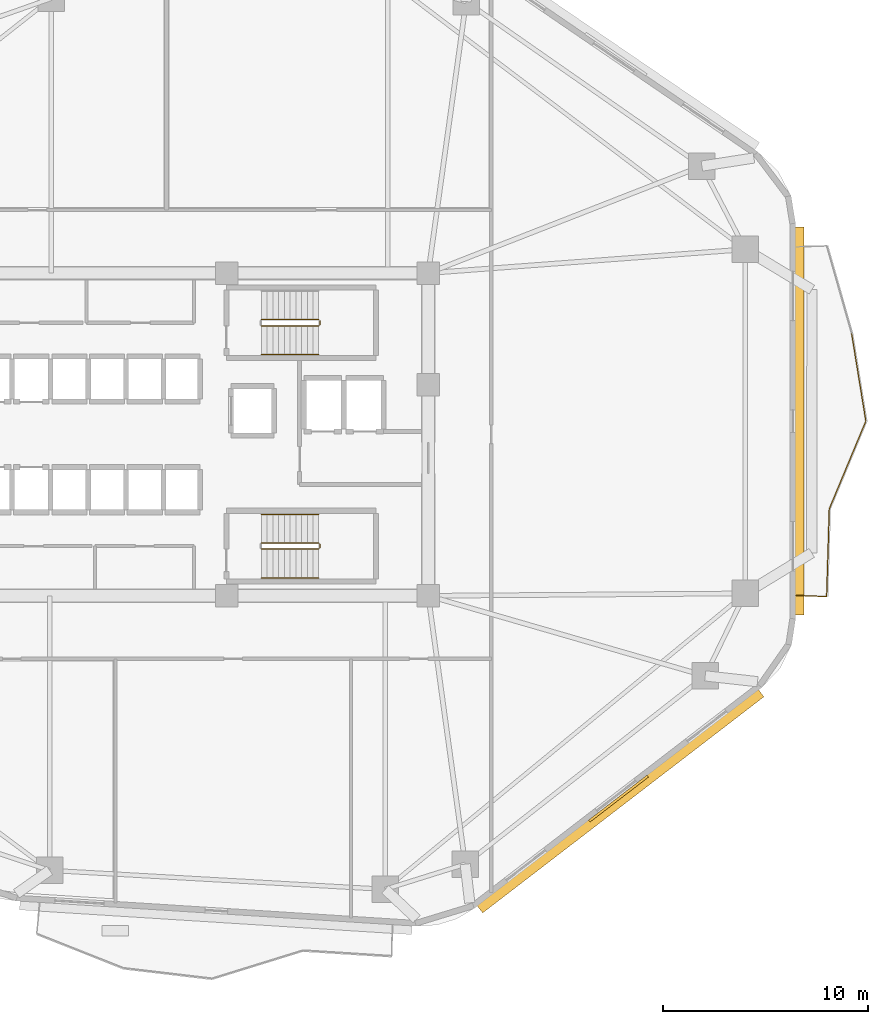
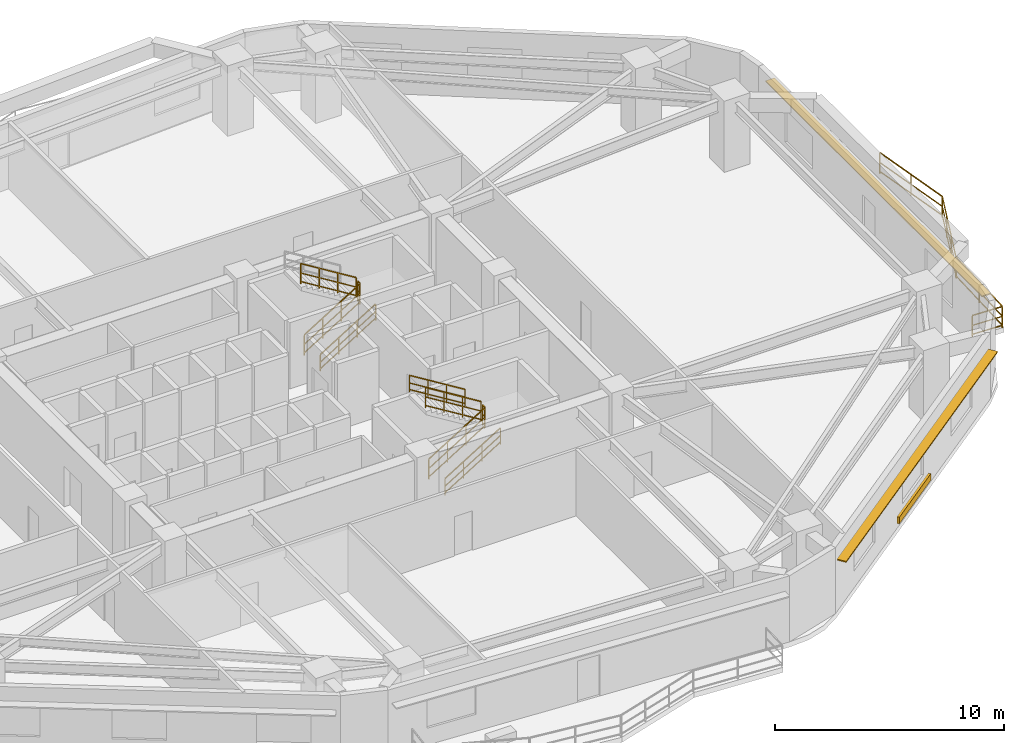
# One storey, part 7 of 8: 13 railings, 3 shading devices.
"""IFC4 building model written with IfcOpenShell, lengths in metres."""

from ifc_helpers import new_model, si_unit, direction, frame, origin, origin_2d, place, context, subcontext, project, spatial, rectangle, extrude, material, layer, layer_set, type_object, element, save


model = new_model("IFC4")

# Units and contexts
model_context = context("Model", 3, precision=1e-05, world=origin(), true_north=direction((0.0, 1.0)))
body_context = subcontext(model_context, "Body", "Model", "MODEL_VIEW")
ifc_project = project(units=[si_unit("LENGTHUNIT", "METRE"), si_unit("AREAUNIT", "SQUARE_METRE"), si_unit("VOLUMEUNIT", "CUBIC_METRE"), si_unit("PLANEANGLEUNIT", "RADIAN"), si_unit("MASSUNIT", "GRAM", prefix="KILO")], contexts=[model_context])

# Site, building, storey
site_placement = place(None, origin())
site = spatial("IfcSite", under=ifc_project, at=site_placement, CompositionType="ELEMENT")
building_placement = place(site_placement, origin())
building = spatial("IfcBuilding", under=site, at=building_placement, Name="Zulverin Broadcast Headquarters", CompositionType="ELEMENT")
storey_placement = place(building_placement, frame((0.0, 0.0, 44.0)))
storey = spatial("IfcBuildingStorey", under=building, at=storey_placement, Name="L10", CompositionType="ELEMENT", Elevation=44.0)

# Railings
ifc_material_1 = material(Name="Brushed stainless steel & laminated glass balustrade", Category="steel")
railing_type_1 = type_object("IfcRailingType", Name="RL-GUARD-1150", PredefinedType="GUARDRAIL", material=ifc_material_1)
railing_1_placement = place(storey_placement, frame((66.239990234375, 17.343505859375, 0.0)))
element("IfcRailing", 1, at=railing_1_placement, inside=storey, type_object=railing_type_1, Name="L10 Vertical-Forest Balcony Guardrail BAL_E Segment 01", PredefinedType="GUARDRAIL", context=body_context, shape_type="SweptSolid", body=[
    extrude(rectangle(XDim=0.048095703125, YDim=0.048095703125, at=origin_2d()), frame((0.0, 0.0, 1.1259765625), z_axis=(0.999174410196, -0.040626321628, 0.0), x_axis=(0.040626321628, 0.999174410196, 0.0)), (0.0, 0.0, 1.0), 1.46630859375),
    extrude(rectangle(XDim=0.0419921875, YDim=0.0419921875, at=origin_2d()), frame((0.0, 0.0, 0.597900390625), z_axis=(0.999174410196, -0.040626321628, 0.0), x_axis=(0.040626321628, 0.999174410196, 0.0)), (0.0, 0.0, 1.0), 1.46630859375),
    extrude(rectangle(XDim=0.0419921875, YDim=0.0419921875, at=origin_2d()), frame((0.0, 0.0, 0.1201171875), z_axis=(0.999174410196, -0.040626321628, 0.0), x_axis=(0.040626321628, 0.999174410196, 0.0)), (0.0, 0.0, 1.0), 1.46630859375),
    extrude(rectangle(XDim=0.0419921875, YDim=0.0419921875, at=origin_2d()), origin(), (0.0, 0.0, 1.0), 1.101806640625),
    extrude(rectangle(XDim=0.0419921875, YDim=0.0419921875, at=origin_2d()), frame((1.465087890625, -0.0595703125, 0.0)), (0.0, 0.0, 1.0), 1.101806640625),
])
railing_2_placement = place(storey_placement, frame((67.720458984375, 17.29833984375, 0.0)))
element("IfcRailing", 2, at=railing_2_placement, inside=storey, type_object=railing_type_1, Name="L10 Vertical-Forest Balcony Guardrail BAL_E Segment 02", PredefinedType="GUARDRAIL", context=body_context, shape_type="SweptSolid", body=[
    extrude(rectangle(XDim=0.048095703125, YDim=0.048095703125, at=origin_2d()), frame((0.0, 0.0, 1.1259765625), z_axis=(0.030066767835, 0.999547892535, 0.0), x_axis=(-0.999547892535, 0.030066767835, 0.0)), (0.0, 0.0, 1.0), 4.2548828125),
    extrude(rectangle(XDim=0.0419921875, YDim=0.0419921875, at=origin_2d()), frame((0.0, 0.0, 0.597900390625), z_axis=(0.030066767835, 0.999547892535, 0.0), x_axis=(-0.999547892535, 0.030066767835, 0.0)), (0.0, 0.0, 1.0), 4.2548828125),
    extrude(rectangle(XDim=0.0419921875, YDim=0.0419921875, at=origin_2d()), frame((0.0, 0.0, 0.1201171875), z_axis=(0.030066767835, 0.999547892535, 0.0), x_axis=(-0.999547892535, 0.030066767835, 0.0)), (0.0, 0.0, 1.0), 4.2548828125),
    extrude(rectangle(XDim=0.0419921875, YDim=0.0419921875, at=origin_2d()), origin(), (0.0, 0.0, 1.0), 1.101806640625),
    extrude(rectangle(XDim=0.0419921875, YDim=0.0419921875, at=origin_2d()), frame((0.06396484375, 2.12646484375, 0.0)), (0.0, 0.0, 1.0), 1.101806640625),
    extrude(rectangle(XDim=0.0419921875, YDim=0.0419921875, at=origin_2d()), frame((0.1279296875, 4.2529296875, 0.0)), (0.0, 0.0, 1.0), 1.101806640625),
])
railing_3_placement = place(storey_placement, frame((67.854736328125, 21.580078125, 0.0)))
element("IfcRailing", 3, at=railing_3_placement, inside=storey, type_object=railing_type_1, Name="L10 Vertical-Forest Balcony Guardrail BAL_E Segment 03", PredefinedType="GUARDRAIL", context=body_context, shape_type="SweptSolid", body=[
    extrude(rectangle(XDim=0.048095703125, YDim=0.048095703125, at=origin_2d()), frame((0.0, 0.0, 1.1259765625), z_axis=(0.384837228124, 0.922984456993, 0.0), x_axis=(-0.922984456993, 0.384837228124, 0.0)), (0.0, 0.0, 1.0), 4.610107421875),
    extrude(rectangle(XDim=0.0419921875, YDim=0.0419921875, at=origin_2d()), frame((0.0, 0.0, 0.597900390625), z_axis=(0.384837228124, 0.922984456993, 0.0), x_axis=(-0.922984456993, 0.384837228124, 0.0)), (0.0, 0.0, 1.0), 4.610107421875),
    extrude(rectangle(XDim=0.0419921875, YDim=0.0419921875, at=origin_2d()), frame((0.0, 0.0, 0.1201171875), z_axis=(0.384837228124, 0.922984456993, 0.0), x_axis=(-0.922984456993, 0.384837228124, 0.0)), (0.0, 0.0, 1.0), 4.610107421875),
    extrude(rectangle(XDim=0.0419921875, YDim=0.0419921875, at=origin_2d()), origin(), (0.0, 0.0, 1.0), 1.101806640625),
    extrude(rectangle(XDim=0.0419921875, YDim=0.0419921875, at=origin_2d()), frame((0.59130859375, 1.41845703125, 0.0)), (0.0, 0.0, 1.0), 1.101806640625),
    extrude(rectangle(XDim=0.0419921875, YDim=0.0419921875, at=origin_2d()), frame((1.182861328125, 2.836669921875, 0.0)), (0.0, 0.0, 1.0), 1.101806640625),
    extrude(rectangle(XDim=0.0419921875, YDim=0.0419921875, at=origin_2d()), frame((1.774169921875, 4.255126953125, 0.0)), (0.0, 0.0, 1.0), 1.101806640625),
])
railing_4_placement = place(storey_placement, frame((69.632080078125, 25.86376953125, 0.0)))
element("IfcRailing", 4, at=railing_4_placement, inside=storey, type_object=railing_type_1, Name="L10 Vertical-Forest Balcony Guardrail BAL_E Segment 04", PredefinedType="GUARDRAIL", context=body_context, shape_type="SweptSolid", body=[
    extrude(rectangle(XDim=0.048095703125, YDim=0.048095703125, at=origin_2d()), frame((0.0, 0.0, 1.1259765625), z_axis=(-0.160345697717, 0.987060918699, 0.0), x_axis=(-0.987060918699, -0.160345697717, 0.0)), (0.0, 0.0, 1.0), 4.308837890625),
    extrude(rectangle(XDim=0.0419921875, YDim=0.0419921875, at=origin_2d()), frame((0.0, 0.0, 0.597900390625), z_axis=(-0.160345697717, 0.987060918699, 0.0), x_axis=(-0.987060918699, -0.160345697717, 0.0)), (0.0, 0.0, 1.0), 4.308837890625),
    extrude(rectangle(XDim=0.0419921875, YDim=0.0419921875, at=origin_2d()), frame((0.0, 0.0, 0.1201171875), z_axis=(-0.160345697717, 0.987060918699, 0.0), x_axis=(-0.987060918699, -0.160345697717, 0.0)), (0.0, 0.0, 1.0), 4.308837890625),
    extrude(rectangle(XDim=0.0419921875, YDim=0.0419921875, at=origin_2d()), origin(), (0.0, 0.0, 1.0), 1.101806640625),
    extrude(rectangle(XDim=0.0419921875, YDim=0.0419921875, at=origin_2d()), frame((-0.345458984375, 2.12646484375, 0.0)), (0.0, 0.0, 1.0), 1.101806640625),
    extrude(rectangle(XDim=0.0419921875, YDim=0.0419921875, at=origin_2d()), frame((-0.69091796875, 4.253173828125, 0.0)), (0.0, 0.0, 1.0), 1.101806640625),
])
ifc_material_2 = material(Name="Painted galvanized steel tubular guardrail S355JR", Category="steel")
railing_type_2 = type_object("IfcRailingType", Name="RL-ST-GUARD", PredefinedType="GUARDRAIL", material=ifc_material_2)
railing_5_placement = place(storey_placement, frame((40.1298828125, 30.5, 0.172607421875)))
element("IfcRailing", 5, at=railing_5_placement, inside=storey, type_object=railing_type_2, Name="L10 ST-1 stair guard 1", PredefinedType="GUARDRAIL", context=body_context, shape_type="SweptSolid", body=[
    extrude(rectangle(XDim=0.048095703125, YDim=0.048095703125, at=origin_2d()), frame((0.0, 0.0, 1.076171875), z_axis=(0.851089632645, 0.0, 0.525020415988), x_axis=(0.0, 1.0, 0.0)), (0.0, 0.0, 1.0), 3.2900390625),
    extrude(rectangle(XDim=0.0419921875, YDim=0.0419921875, at=origin_2d()), frame((0.0, 0.0, 0.572021484375), z_axis=(0.851089632645, 0.0, 0.525020415988), x_axis=(0.0, 1.0, 0.0)), (0.0, 0.0, 1.0), 3.2900390625),
    extrude(rectangle(XDim=0.0419921875, YDim=0.0419921875, at=origin_2d()), frame((0.0, 0.0, 0.1201171875), z_axis=(0.851089632645, 0.0, 0.525020415988), x_axis=(0.0, 1.0, 0.0)), (0.0, 0.0, 1.0), 3.2900390625),
    extrude(rectangle(XDim=0.0419921875, YDim=0.0419921875, at=origin_2d()), origin(), (0.0, 0.0, 1.0), 1.052001953125),
    extrude(rectangle(XDim=0.0419921875, YDim=0.0419921875, at=origin_2d()), frame((0.933349609375, 0.0, 0.57568359375)), (0.0, 0.0, 1.0), 1.052001953125),
    extrude(rectangle(XDim=0.0419921875, YDim=0.0419921875, at=origin_2d()), frame((1.86669921875, 0.0, 1.151611328125)), (0.0, 0.0, 1.0), 1.052001953125),
    extrude(rectangle(XDim=0.0419921875, YDim=0.0419921875, at=origin_2d()), frame((2.800048828125, 0.0, 1.727294921875)), (0.0, 0.0, 1.0), 1.052001953125),
])
railing_6_placement = place(storey_placement, frame((42.97998046875, 30.550048828125, 1.89990234375)))
element("IfcRailing", 6, at=railing_6_placement, inside=storey, type_object=railing_type_2, Name="L10 ST-1 stair guard 2", PredefinedType="GUARDRAIL", context=body_context, shape_type="SweptSolid", body=[
    extrude(rectangle(XDim=0.048095703125, YDim=0.048095703125, at=origin_2d()), frame((0.0, 0.0, 1.076171875), z_axis=(0.0, 1.0, 0.0), x_axis=(-1.0, 0.0, 0.0)), (0.0, 0.0, 1.0), 0.199951171875),
    extrude(rectangle(XDim=0.0419921875, YDim=0.0419921875, at=origin_2d()), frame((0.0, 0.0, 0.572021484375), z_axis=(0.0, 1.0, 0.0), x_axis=(-1.0, 0.0, 0.0)), (0.0, 0.0, 1.0), 0.199951171875),
    extrude(rectangle(XDim=0.0419921875, YDim=0.0419921875, at=origin_2d()), frame((0.0, 0.0, 0.1201171875), z_axis=(0.0, 1.0, 0.0), x_axis=(-1.0, 0.0, 0.0)), (0.0, 0.0, 1.0), 0.199951171875),
    extrude(rectangle(XDim=0.0419921875, YDim=0.0419921875, at=origin_2d()), origin(), (0.0, 0.0, 1.0), 1.052001953125),
    extrude(rectangle(XDim=0.0419921875, YDim=0.0419921875, at=origin_2d()), frame((0.0, 0.199951171875, 0.0)), (0.0, 0.0, 1.0), 1.052001953125),
])
railing_7_placement = place(storey_placement, frame((42.929931640625, 30.800048828125, 2.07275390625)))
element("IfcRailing", 7, at=railing_7_placement, inside=storey, type_object=railing_type_2, Name="L10 ST-1 stair guard 3", PredefinedType="GUARDRAIL", context=body_context, shape_type="SweptSolid", body=[
    extrude(rectangle(XDim=0.048095703125, YDim=0.048095703125, at=origin_2d()), frame((0.0, 0.0, 1.076171875), z_axis=(-0.851089632645, 0.0, 0.525020415988), x_axis=(0.0, -1.0, 0.0)), (0.0, 0.0, 1.0), 3.2900390625),
    extrude(rectangle(XDim=0.0419921875, YDim=0.0419921875, at=origin_2d()), frame((0.0, 0.0, 0.572021484375), z_axis=(-0.851089632645, 0.0, 0.525020415988), x_axis=(0.0, -1.0, 0.0)), (0.0, 0.0, 1.0), 3.2900390625),
    extrude(rectangle(XDim=0.0419921875, YDim=0.0419921875, at=origin_2d()), frame((0.0, 0.0, 0.1201171875), z_axis=(-0.851089632645, 0.0, 0.525020415988), x_axis=(0.0, -1.0, 0.0)), (0.0, 0.0, 1.0), 3.2900390625),
    extrude(rectangle(XDim=0.0419921875, YDim=0.0419921875, at=origin_2d()), origin(), (0.0, 0.0, 1.0), 1.052001953125),
    extrude(rectangle(XDim=0.0419921875, YDim=0.0419921875, at=origin_2d()), frame((-0.933349609375, 0.0, 0.57568359375)), (0.0, 0.0, 1.0), 1.052001953125),
    extrude(rectangle(XDim=0.0419921875, YDim=0.0419921875, at=origin_2d()), frame((-1.86669921875, 0.0, 1.151611328125)), (0.0, 0.0, 1.0), 1.052001953125),
    extrude(rectangle(XDim=0.0419921875, YDim=0.0419921875, at=origin_2d()), frame((-2.800048828125, 0.0, 1.727294921875)), (0.0, 0.0, 1.0), 1.052001953125),
])
railing_8_placement = place(storey_placement, frame((40.1298828125, 19.60009765625, 0.172607421875)))
element("IfcRailing", 8, at=railing_8_placement, inside=storey, type_object=railing_type_2, Name="L10 ST-2 stair guard 1", PredefinedType="GUARDRAIL", context=body_context, shape_type="SweptSolid", body=[
    extrude(rectangle(XDim=0.048095703125, YDim=0.048095703125, at=origin_2d()), frame((0.0, 0.0, 1.076171875), z_axis=(0.851089632645, 0.0, 0.525020415988), x_axis=(0.0, 1.0, 0.0)), (0.0, 0.0, 1.0), 3.2900390625),
    extrude(rectangle(XDim=0.0419921875, YDim=0.0419921875, at=origin_2d()), frame((0.0, 0.0, 0.572021484375), z_axis=(0.851089632645, 0.0, 0.525020415988), x_axis=(0.0, 1.0, 0.0)), (0.0, 0.0, 1.0), 3.2900390625),
    extrude(rectangle(XDim=0.0419921875, YDim=0.0419921875, at=origin_2d()), frame((0.0, 0.0, 0.1201171875), z_axis=(0.851089632645, 0.0, 0.525020415988), x_axis=(0.0, 1.0, 0.0)), (0.0, 0.0, 1.0), 3.2900390625),
    extrude(rectangle(XDim=0.0419921875, YDim=0.0419921875, at=origin_2d()), origin(), (0.0, 0.0, 1.0), 1.052001953125),
    extrude(rectangle(XDim=0.0419921875, YDim=0.0419921875, at=origin_2d()), frame((0.933349609375, 0.0, 0.57568359375)), (0.0, 0.0, 1.0), 1.052001953125),
    extrude(rectangle(XDim=0.0419921875, YDim=0.0419921875, at=origin_2d()), frame((1.86669921875, 0.0, 1.151611328125)), (0.0, 0.0, 1.0), 1.052001953125),
    extrude(rectangle(XDim=0.0419921875, YDim=0.0419921875, at=origin_2d()), frame((2.800048828125, 0.0, 1.727294921875)), (0.0, 0.0, 1.0), 1.052001953125),
])
railing_9_placement = place(storey_placement, frame((42.97998046875, 19.64990234375, 1.89990234375)))
element("IfcRailing", 9, at=railing_9_placement, inside=storey, type_object=railing_type_2, Name="L10 ST-2 stair guard 2", PredefinedType="GUARDRAIL", context=body_context, shape_type="SweptSolid", body=[
    extrude(rectangle(XDim=0.048095703125, YDim=0.048095703125, at=origin_2d()), frame((0.0, 0.0, 1.076171875), z_axis=(0.0, 1.0, 0.0), x_axis=(-1.0, 0.0, 0.0)), (0.0, 0.0, 1.0), 0.2001953125),
    extrude(rectangle(XDim=0.0419921875, YDim=0.0419921875, at=origin_2d()), frame((0.0, 0.0, 0.572021484375), z_axis=(0.0, 1.0, 0.0), x_axis=(-1.0, 0.0, 0.0)), (0.0, 0.0, 1.0), 0.2001953125),
    extrude(rectangle(XDim=0.0419921875, YDim=0.0419921875, at=origin_2d()), frame((0.0, 0.0, 0.1201171875), z_axis=(0.0, 1.0, 0.0), x_axis=(-1.0, 0.0, 0.0)), (0.0, 0.0, 1.0), 0.2001953125),
    extrude(rectangle(XDim=0.0419921875, YDim=0.0419921875, at=origin_2d()), origin(), (0.0, 0.0, 1.0), 1.052001953125),
    extrude(rectangle(XDim=0.0419921875, YDim=0.0419921875, at=origin_2d()), frame((0.0, 0.2001953125, 0.0)), (0.0, 0.0, 1.0), 1.052001953125),
])
railing_10_placement = place(storey_placement, frame((42.929931640625, 19.89990234375, 2.07275390625)))
element("IfcRailing", 10, at=railing_10_placement, inside=storey, type_object=railing_type_2, Name="L10 ST-2 stair guard 3", PredefinedType="GUARDRAIL", context=body_context, shape_type="SweptSolid", body=[
    extrude(rectangle(XDim=0.048095703125, YDim=0.048095703125, at=origin_2d()), frame((0.0, 0.0, 1.076171875), z_axis=(-0.851089632645, 0.0, 0.525020415988), x_axis=(0.0, -1.0, 0.0)), (0.0, 0.0, 1.0), 3.2900390625),
    extrude(rectangle(XDim=0.0419921875, YDim=0.0419921875, at=origin_2d()), frame((0.0, 0.0, 0.572021484375), z_axis=(-0.851089632645, 0.0, 0.525020415988), x_axis=(0.0, -1.0, 0.0)), (0.0, 0.0, 1.0), 3.2900390625),
    extrude(rectangle(XDim=0.0419921875, YDim=0.0419921875, at=origin_2d()), frame((0.0, 0.0, 0.1201171875), z_axis=(-0.851089632645, 0.0, 0.525020415988), x_axis=(0.0, -1.0, 0.0)), (0.0, 0.0, 1.0), 3.2900390625),
    extrude(rectangle(XDim=0.0419921875, YDim=0.0419921875, at=origin_2d()), origin(), (0.0, 0.0, 1.0), 1.052001953125),
    extrude(rectangle(XDim=0.0419921875, YDim=0.0419921875, at=origin_2d()), frame((-0.933349609375, 0.0, 0.57568359375)), (0.0, 0.0, 1.0), 1.052001953125),
    extrude(rectangle(XDim=0.0419921875, YDim=0.0419921875, at=origin_2d()), frame((-1.86669921875, 0.0, 1.151611328125)), (0.0, 0.0, 1.0), 1.052001953125),
    extrude(rectangle(XDim=0.0419921875, YDim=0.0419921875, at=origin_2d()), frame((-2.800048828125, 0.0, 1.727294921875)), (0.0, 0.0, 1.0), 1.052001953125),
])
ifc_material_3 = material(Name="Brushed stainless steel 48 mm handrail", Category="steel")
railing_type_3 = type_object("IfcRailingType", Name="RL-ST-HAND", PredefinedType="HANDRAIL", material=ifc_material_3)
for number, where, name in (
    (11, (40.1298828125, 29.10009765625, 0.172607421875), "L10 ST-1 stair handrail 1"),
    (12, (40.1298828125, 18.199951171875, 0.172607421875), "L10 ST-2 stair handrail 1"),
):
    element("IfcRailing", number, at=place(storey_placement, frame(where)), inside=storey, type_object=railing_type_3, Name=name, PredefinedType="HANDRAIL", context=body_context, shape_type="SweptSolid", body=[
        extrude(rectangle(XDim=0.048095703125, YDim=0.048095703125, at=origin_2d()), frame((0.0, 0.0, 0.8759765625), z_axis=(0.851089632645, 0.0, 0.525020415988), x_axis=(0.0, 1.0, 0.0)), (0.0, 0.0, 1.0), 3.2900390625),
        extrude(rectangle(XDim=0.0419921875, YDim=0.0419921875, at=origin_2d()), frame((0.0, 0.0, 0.468017578125), z_axis=(0.851089632645, 0.0, 0.525020415988), x_axis=(0.0, 1.0, 0.0)), (0.0, 0.0, 1.0), 3.2900390625),
        extrude(rectangle(XDim=0.0419921875, YDim=0.0419921875, at=origin_2d()), frame((0.0, 0.0, 0.1201171875), z_axis=(0.851089632645, 0.0, 0.525020415988), x_axis=(0.0, 1.0, 0.0)), (0.0, 0.0, 1.0), 3.2900390625),
        extrude(rectangle(XDim=0.0419921875, YDim=0.0419921875, at=origin_2d()), origin(), (0.0, 0.0, 1.0), 0.851806640625),
        extrude(rectangle(XDim=0.0419921875, YDim=0.0419921875, at=origin_2d()), frame((0.933349609375, 0.0, 0.57568359375)), (0.0, 0.0, 1.0), 0.851806640625),
        extrude(rectangle(XDim=0.0419921875, YDim=0.0419921875, at=origin_2d()), frame((1.86669921875, 0.0, 1.151611328125)), (0.0, 0.0, 1.0), 0.851806640625),
        extrude(rectangle(XDim=0.0419921875, YDim=0.0419921875, at=origin_2d()), frame((2.800048828125, 0.0, 1.727294921875)), (0.0, 0.0, 1.0), 0.851806640625),
    ])
railing_11_placement = place(storey_placement, frame((42.929931640625, 21.300048828125, 2.07275390625)))
element("IfcRailing", 13, at=railing_11_placement, inside=storey, type_object=railing_type_3, Name="L10 ST-2 stair handrail 2", PredefinedType="HANDRAIL", context=body_context, shape_type="SweptSolid", body=[
    extrude(rectangle(XDim=0.048095703125, YDim=0.048095703125, at=origin_2d()), frame((0.0, 0.0, 0.8759765625), z_axis=(-0.851089632645, 0.0, 0.525020415988), x_axis=(0.0, -1.0, 0.0)), (0.0, 0.0, 1.0), 3.2900390625),
    extrude(rectangle(XDim=0.0419921875, YDim=0.0419921875, at=origin_2d()), frame((0.0, 0.0, 0.468017578125), z_axis=(-0.851089632645, 0.0, 0.525020415988), x_axis=(0.0, -1.0, 0.0)), (0.0, 0.0, 1.0), 3.2900390625),
    extrude(rectangle(XDim=0.0419921875, YDim=0.0419921875, at=origin_2d()), frame((0.0, 0.0, 0.1201171875), z_axis=(-0.851089632645, 0.0, 0.525020415988), x_axis=(0.0, -1.0, 0.0)), (0.0, 0.0, 1.0), 3.2900390625),
    extrude(rectangle(XDim=0.0419921875, YDim=0.0419921875, at=origin_2d()), origin(), (0.0, 0.0, 1.0), 0.851806640625),
    extrude(rectangle(XDim=0.0419921875, YDim=0.0419921875, at=origin_2d()), frame((-0.933349609375, 0.0, 0.57568359375)), (0.0, 0.0, 1.0), 0.851806640625),
    extrude(rectangle(XDim=0.0419921875, YDim=0.0419921875, at=origin_2d()), frame((-1.86669921875, 0.0, 1.151611328125)), (0.0, 0.0, 1.0), 0.851806640625),
    extrude(rectangle(XDim=0.0419921875, YDim=0.0419921875, at=origin_2d()), frame((-2.800048828125, 0.0, 1.727294921875)), (0.0, 0.0, 1.0), 0.851806640625),
])

# Shading devices
ifc_material_4 = material(Name="Anodized pale-metal aluminium acoustic louvre", Category="aluminium")
shading_device_type_1 = type_object("IfcShadingDeviceType", Name="SHD-LOUVRE-350", PredefinedType="USERDEFINED", material=ifc_material_4)
shading_device_1_placement = place(storey_placement, frame((57.56103515625, 7.425048828125, 0.244873046875), z_axis=(0.0, 0.0, 1.0), x_axis=(0.792933468586, 0.609308226102, 0.0)))
element("IfcShadingDevice", 14, at=shading_device_1_placement, inside=storey, type_object=shading_device_type_1, Name="L10 Spandrel Intake Louvre 2", ObjectType="LOUVRE", PredefinedType="USERDEFINED", context=body_context, shape_type="SweptSolid", body=[
    extrude(rectangle(XDim=3.60009765625, YDim=0.1201171875, at=origin_2d()), origin(), (0.0, 0.0, 1.0), 0.35009765625),
])
ifc_material_5 = material(Name="Anodized pale-metal aluminium sunshade", Category="aluminium")
ifc_layer = layer(ifc_material_5, 0.06005859375, Name="Anodized pale-metal aluminium sunshade", Category="aluminium")
ifc_layer_set = layer_set([ifc_layer], Name="Anodized pale-metal aluminium sunshade")
shading_device_type_2 = type_object("IfcShadingDeviceType", Name="SS-01_PALE_METAL_ALUMINIUM_SUNSHADE", PredefinedType="USERDEFINED", material=ifc_layer_set)
shading_device_2_placement = place(storey_placement, frame((57.658447265625, 7.29833984375, 2.7099609375), z_axis=(0.0, 0.0, 1.0), x_axis=(0.792933468586, 0.609308226102, 0.0)))
element("IfcShadingDevice", 15, at=shading_device_2_placement, inside=storey, type_object=shading_device_type_2, Name="L10 Horizontal Pale-Metal Sunshade Band 2", ObjectType="SUNSHADE", PredefinedType="USERDEFINED", context=body_context, shape_type="SweptSolid", body=[
    extrude(rectangle(XDim=17.312744140625, YDim=0.449951171875, at=origin_2d()), origin(), (0.0, 0.0, 1.0), 0.06005859375),
])
shading_device_3_placement = place(storey_placement, frame((66.39990234375, 25.848876953125, 2.7099609375), z_axis=(0.0, 0.0, 1.0), x_axis=(0.0, 1.0, 0.0)))
element("IfcShadingDevice", 16, at=shading_device_3_placement, inside=storey, type_object=shading_device_type_2, Name="L10 Horizontal Pale-Metal Sunshade Band 3", ObjectType="SUNSHADE", PredefinedType="USERDEFINED", context=body_context, shape_type="SweptSolid", body=[
    extrude(rectangle(XDim=18.93115234375, YDim=0.449951171875, at=origin_2d()), origin(), (0.0, 0.0, 1.0), 0.06005859375),
])

save(model, "model.ifc")
